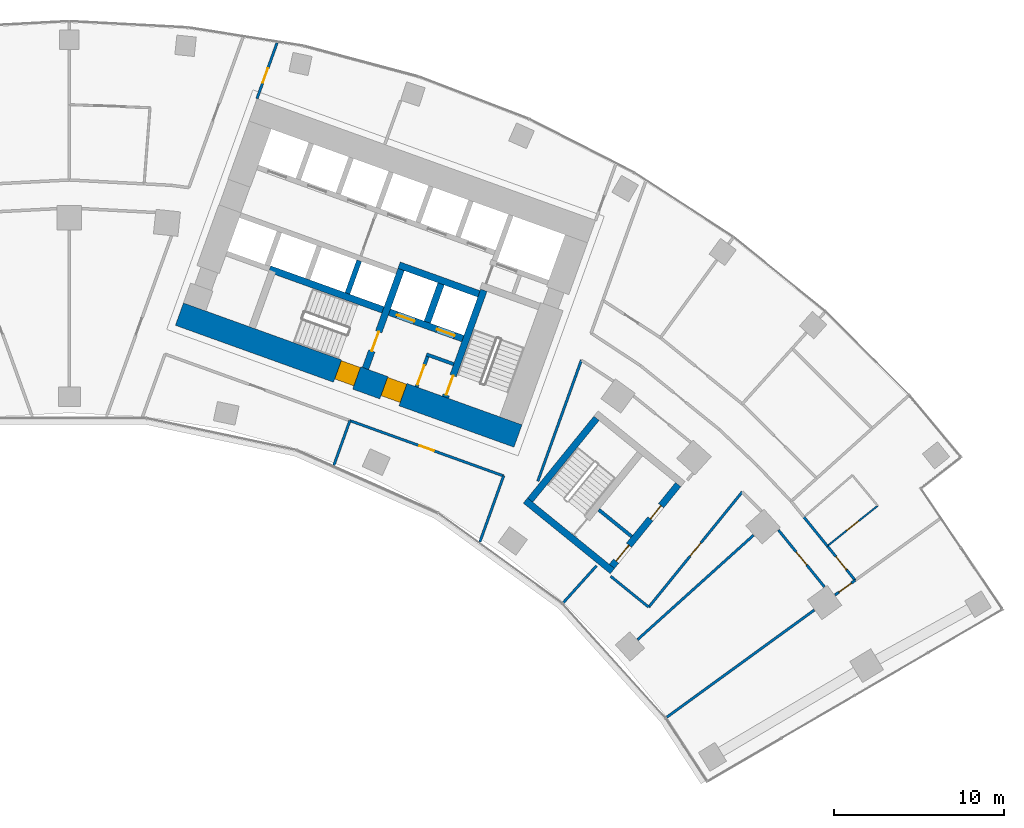
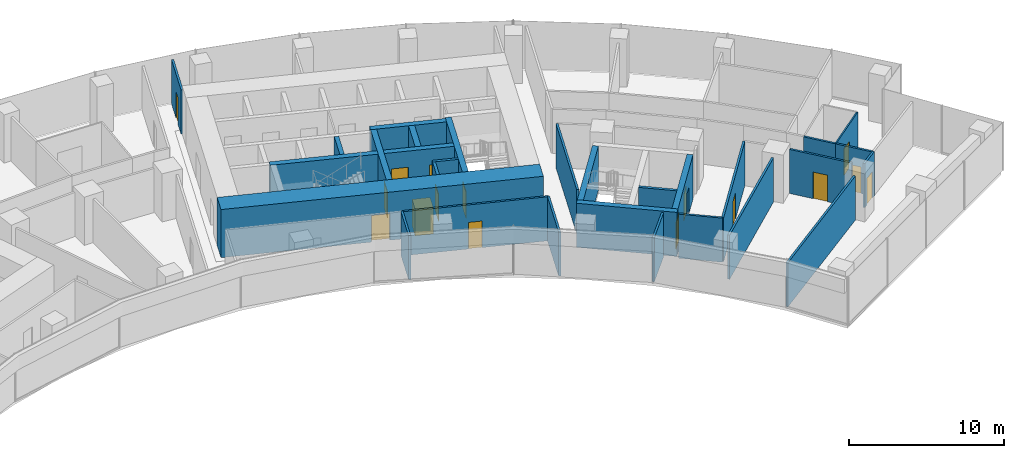
# One storey, part 16 of 20: 28 walls, 16 doors, 16 openings.
"""IFC4 building model written with IfcOpenShell, lengths in metres."""

import ifcopenshell
import ifcopenshell.guid

model = None  # the IFC model being written
_history = None  # IfcOwnerHistory: only IFC2X3 demands one
_inside = {}  # id of a spatial element -> (the spatial element, [elements in it])
_under = {}  # id of a project, library or spatial element -> (it, [spatial elements below it])
_declared = {}  # id of a project -> (the project, [libraries it declares])
_typed = {}  # id of a type object -> (the type object, [elements of that type])
_made_of = {}  # id of a material, layer set ... -> (it, [elements and type objects made of it])


def new_model(schema):
    """Start an empty IFC model of exactly this schema.

    Asked for "IFC4X3", IfcOpenShell would pick the latest addendum, in which some entities
    have other attributes; the version numbers below select the first issue.
    IFC2X3 requires an IfcOwnerHistory on every rooted entity: one is made here for all.
    """
    global model, _history
    if schema == "IFC4X3":
        model = ifcopenshell.file(schema_version=(4, 3, 0, 0))
    else:
        model = ifcopenshell.file(schema=schema)
    _inside.clear()
    _under.clear()
    _declared.clear()
    _typed.clear()
    _made_of.clear()
    _history = None
    if model.schema == "IFC2X3":
        org = make("IfcOrganization", Name="unknown")
        user = make(
            "IfcPersonAndOrganization",
            ThePerson=make("IfcPerson", FamilyName="unknown"),
            TheOrganization=org,
        )
        app = make(
            "IfcApplication",
            ApplicationDeveloper=org,
            Version="unknown",
            ApplicationFullName="unknown",
            ApplicationIdentifier="unknown",
        )
        _history = make(
            "IfcOwnerHistory",
            OwningUser=user,
            OwningApplication=app,
            ChangeAction="ADDED",
            CreationDate=0,
        )
    return model


def make(cls, **values):
    """One entity of the class cls with the attributes given. An attribute that is None is left unset."""
    return model.create_entity(
        cls, **{name: value for name, value in values.items() if value is not None}
    )


def rooted(cls, **values):
    """An entity with a GlobalId (a new one), such as an element, a storey or a relation."""
    return make(cls, GlobalId=ifcopenshell.guid.new(), OwnerHistory=_history, **values)


def si_unit(unit_type, name, prefix=None):
    """IfcSIUnit, for example si_unit("LENGTHUNIT", "METRE", prefix="MILLI")."""
    return make("IfcSIUnit", UnitType=unit_type, Prefix=prefix, Name=name)


def assignment(units):
    """IfcUnitAssignment: the units of a project."""
    return None if units is None else make("IfcUnitAssignment", Units=units)


def point(xyz):
    """IfcCartesianPoint."""
    return None if xyz is None else make("IfcCartesianPoint", Coordinates=xyz)


def direction(xyz):
    """IfcDirection."""
    return None if xyz is None else make("IfcDirection", DirectionRatios=xyz)


def frame(location, z_axis=None, x_axis=None):
    """IfcAxis2Placement3D, a coordinate frame: its origin and axes. An axis left out is left unset."""
    return make(
        "IfcAxis2Placement3D",
        Location=point(location),
        Axis=direction(z_axis),
        RefDirection=direction(x_axis),
    )


def frame_2d(location, x_axis=None):
    """IfcAxis2Placement2D, a coordinate frame in the plane: its origin and x axis."""
    return make(
        "IfcAxis2Placement2D", Location=point(location), RefDirection=direction(x_axis)
    )


def origin():
    """The frame at (0, 0, 0) with its axes left unset."""
    return frame((0.0, 0.0, 0.0))


def place(relative_to, where):
    """IfcLocalPlacement: puts the frame where relative to a parent placement (None: the world)."""
    return make(
        "IfcLocalPlacement", PlacementRelTo=relative_to, RelativePlacement=where
    )


def context(
    kind, dimensions, precision=None, world=None, true_north=None, identifier=None
):
    """IfcGeometricRepresentationContext, for example the 3D "Model" context."""
    return make(
        "IfcGeometricRepresentationContext",
        ContextIdentifier=identifier,
        ContextType=kind,
        CoordinateSpaceDimension=dimensions,
        Precision=precision,
        WorldCoordinateSystem=world,
        TrueNorth=true_north,
    )


def subcontext(parent, identifier, kind, view, scale=None):
    """IfcGeometricRepresentationSubContext, for example "Body" below "Model"."""
    return make(
        "IfcGeometricRepresentationSubContext",
        ContextIdentifier=identifier,
        ContextType=kind,
        ParentContext=parent,
        TargetScale=scale,
        TargetView=view,
    )


def project(units=None, contexts=None):
    """IfcProject with its units and contexts."""
    return rooted(
        "IfcProject",
        Name="project",
        RepresentationContexts=contexts,
        UnitsInContext=assignment(units),
    )


def spatial(cls, under=None, at=None, **own):
    """A site, building, storey or space (cls), placed at a placement, below another one or the project."""
    s = rooted(cls, ObjectPlacement=at, **own)
    if under is not None:
        _under.setdefault(under.id(), (under, []))[1].append(s)
    return s


def profile(cls, at=None, kind="AREA", **sizes):
    """A parametric profile (cls). Its sizes go by their IFC names, for example OverallWidth=200.0."""
    return make(cls, ProfileType=kind, Position=at, **sizes)


def rectangle(**sizes):
    """IfcRectangleProfileDef."""
    return profile("IfcRectangleProfileDef", **sizes)


def extrude(swept, where, along, depth):
    """IfcExtrudedAreaSolid: the profile swept, set in the frame where, extruded along a direction by depth."""
    return make(
        "IfcExtrudedAreaSolid",
        SweptArea=swept,
        Position=where,
        ExtrudedDirection=direction(along),
        Depth=depth,
    )


def shape(context_of_items, identifier, shape_type, items):
    """IfcShapeRepresentation: the items that make up one representation, for example the "Body"."""
    return make(
        "IfcShapeRepresentation",
        ContextOfItems=context_of_items,
        RepresentationIdentifier=identifier,
        RepresentationType=shape_type,
        Items=items,
    )


def material(Name=None, Category=None):
    """IfcMaterial."""
    return make("IfcMaterial", Name=Name, Category=Category)


def layer(
    of_material, thickness, ventilated=None, Name=None, Category=None, Priority=None
):
    """IfcMaterialLayer: one layer of a wall or slab, of a material (None: an air gap)."""
    return make(
        "IfcMaterialLayer",
        Material=of_material,
        LayerThickness=thickness,
        IsVentilated=ventilated,
        Name=Name,
        Category=Category,
        Priority=Priority,
    )


def layer_set(layers, Name=None):
    """IfcMaterialLayerSet."""
    return make("IfcMaterialLayerSet", MaterialLayers=layers, LayerSetName=Name)


def made_of(thing, what):
    """Note that an element or type object is made of a material, layer set ...; save() writes the relation."""
    if what is not None:
        _made_of.setdefault(what.id(), (what, []))[1].append(thing)
    return thing


def type_object(cls, material=None, **own):
    """A type object (cls), such as IfcWallType, which elements share."""
    return made_of(rooted(cls, **own), material)


def element(
    cls,
    number,
    at=None,
    inside=None,
    cuts=None,
    type_object=None,
    material=None,
    context=None,
    identifier="Body",
    shape_type=None,
    held_by="IfcProductDefinitionShape",
    body=None,
    shapes=None,
    **own,
):
    """One element of the class cls, such as IfcWall. Its Tag is "e" and its number.

    at: its placement. inside: the storey or other place that contains it. cuts: it is an
    opening in that element (IfcRelVoidsElement). A single representation is given by context,
    identifier, shape_type and body (its items); several are given by shapes. held_by: the class
    of the entity that holds the representations. save() writes the other relations.
    """
    e = rooted(cls, Tag="e%d" % number, ObjectPlacement=at, **own)
    if body is not None:
        shapes = [shape(context, identifier, shape_type, body)]
    if shapes is not None:
        e.Representation = make(held_by, Representations=shapes)
    if inside is not None:
        _inside.setdefault(inside.id(), (inside, []))[1].append(e)
    if cuts is not None:
        rooted(
            "IfcRelVoidsElement", RelatingBuildingElement=cuts, RelatedOpeningElement=e
        )
    if type_object is not None:
        _typed.setdefault(type_object.id(), (type_object, []))[1].append(e)
    return made_of(e, material)


def fill(opening, filler):
    """IfcRelFillsElement: the door or window that sits in an opening."""
    return rooted(
        "IfcRelFillsElement",
        RelatingOpeningElement=opening,
        RelatedBuildingElement=filler,
    )


def aggregate(whole, parts):
    """IfcRelAggregates: a whole, such as a stair, and the parts it consists of."""
    return rooted("IfcRelAggregates", RelatingObject=whole, RelatedObjects=parts)


def save(model, path):
    """Write the relations noted so far, then the file.

    IfcRelAggregates (storeys below a building ...), IfcRelContainedInSpatialStructure (elements
    in a storey), IfcRelDefinesByType, IfcRelAssociatesMaterial and IfcRelDeclares: one each for
    every whole, place, type object, material and project.
    """
    for whole, parts in _under.values():
        aggregate(whole, parts)
    for where, things in _inside.values():
        rooted(
            "IfcRelContainedInSpatialStructure",
            RelatedElements=things,
            RelatingStructure=where,
        )
    for kind, things in _typed.values():
        rooted("IfcRelDefinesByType", RelatedObjects=things, RelatingType=kind)
    for what, things in _made_of.values():
        rooted("IfcRelAssociatesMaterial", RelatedObjects=things, RelatingMaterial=what)
    for by, libraries in _declared.values():
        rooted("IfcRelDeclares", RelatingContext=by, RelatedDefinitions=libraries)
    model.write(path)


model = new_model("IFC4")

# Units and contexts
model_context = context("Model", 3, precision=1e-05, world=origin(), true_north=direction((0.0, 1.0)))
body_context = subcontext(model_context, "Body", "Model", "MODEL_VIEW")
ifc_project = project(units=[si_unit("LENGTHUNIT", "METRE"), si_unit("AREAUNIT", "SQUARE_METRE"), si_unit("VOLUMEUNIT", "CUBIC_METRE"), si_unit("PLANEANGLEUNIT", "RADIAN"), si_unit("MASSUNIT", "GRAM", prefix="KILO")], contexts=[model_context])

# Site, building, storey
site_placement = place(None, origin())
site = spatial("IfcSite", under=ifc_project, at=site_placement, CompositionType="ELEMENT")
building_placement = place(site_placement, origin())
building = spatial("IfcBuilding", under=site, at=building_placement, Name="Stone Belt Terrace Tower", CompositionType="ELEMENT")
storey_placement = place(building_placement, frame((0.0, 0.0, 102.199951171875)))
storey = spatial("IfcBuildingStorey", under=building, at=storey_placement, Name="L24", CompositionType="ELEMENT", Elevation=102.199951171875)

# Wall, openings, doors
ifc_material_1 = material(Name="Concrete B80", Category="concrete")
ifc_layer_1 = layer(ifc_material_1, 1.39990234375)
ifc_layer_set_1 = layer_set([ifc_layer_1], Name="Core wall 1400 B80")
wall_type_1 = type_object("IfcWallType", Name="Core wall 1400 B80", PredefinedType="SHEAR", material=ifc_layer_set_1)
wall_1_placement = place(storey_placement, frame((6.4833984375, 49.318115234375, 0.0), z_axis=(0.0, 0.0, 1.0), x_axis=(0.940923374003, -0.33861955681, 0.0)))
wall_1 = element("IfcWall", 1, at=wall_1_placement, inside=storey, type_object=wall_type_1, Name="Core B wall concave L24", PredefinedType="SHEAR", context=body_context, shape_type="SweptSolid", body=[
    extrude(rectangle(XDim=21.199951171875, YDim=1.39990234375, at=frame_2d((10.60009765625, 0.0))), origin(), (0.0, 0.0, 1.0), 3.800048828125),
])
opening_1_placement = place(wall_1_placement, frame((12.800048828125, 0.0, 0.0)))
opening_1 = element("IfcOpeningElement", 2, at=opening_1_placement, cuts=wall_1, Name="Opening L24-C17", PredefinedType="OPENING", context=body_context, shape_type="SweptSolid", body=[
    extrude(rectangle(XDim=1.199951171875, YDim=2.10009765625, at=frame_2d((0.60009765625, 1.050048828125))), frame((0.0, 0.7099609375, 0.0), z_axis=(0.0, -1.0, 0.0), x_axis=(1.0, 0.0, 0.0)), (0.0, 0.0, 1.0), 1.419921875),
])
opening_2_placement = place(wall_1_placement, frame((9.89990234375, 0.0, 0.0)))
opening_2 = element("IfcOpeningElement", 3, at=opening_2_placement, cuts=wall_1, Name="Opening L24-C19", PredefinedType="OPENING", context=body_context, shape_type="SweptSolid", body=[
    extrude(rectangle(XDim=1.199951171875, YDim=2.10009765625, at=frame_2d((0.60009765625, 1.050048828125))), frame((0.0, 0.7099609375, 0.0), z_axis=(0.0, -1.0, 0.0), x_axis=(1.0, 0.0, 0.0)), (0.0, 0.0, 1.0), 1.419921875),
])
ifc_material_2 = material(Name="Steel door leaf", Category="steel")
door_type_1 = type_object("IfcDoorType", Name="Fire-fighting lobby door 1200", OperationType="SINGLE_SWING_LEFT", PredefinedType="DOOR", material=ifc_material_2)
door_1_placement = place(opening_1_placement, origin())
door_1 = element("IfcDoor", 4, at=door_1_placement, inside=storey, type_object=door_type_1, Name="Fire-fighting lobby door core B", OperationType="SINGLE_SWING_RIGHT", OverallHeight=2.10009765625, OverallWidth=1.199951171875, PredefinedType="DOOR", context=body_context, shape_type="SweptSolid", body=[
    extrude(rectangle(XDim=1.199951171875, YDim=2.10009765625, at=frame_2d((0.60009765625, 1.050048828125))), frame((0.0, 0.655029296875, 0.0), z_axis=(0.0, -1.0, 0.0), x_axis=(1.0, 0.0, 0.0)), (0.0, 0.0, 1.0), 1.14990234375),
])
fill(opening_1, door_1)
door_type_2 = type_object("IfcDoorType", Name="Stair door 1200", OperationType="SINGLE_SWING_LEFT", PredefinedType="DOOR", material=ifc_material_2)
door_2_placement = place(opening_2_placement, origin())
door_2 = element("IfcDoor", 5, at=door_2_placement, inside=storey, type_object=door_type_2, Name="Stair 2 exit door core B", OperationType="SINGLE_SWING_LEFT", OverallHeight=2.10009765625, OverallWidth=1.199951171875, PredefinedType="DOOR", context=body_context, shape_type="SweptSolid", body=[
    extrude(rectangle(XDim=1.199951171875, YDim=2.10009765625, at=frame_2d((0.60009765625, 1.050048828125))), frame((0.0, 0.655029296875, 0.0), z_axis=(0.0, -1.0, 0.0), x_axis=(1.0, 0.0, 0.0)), (0.0, 0.0, 1.0), 1.14990234375),
])
fill(opening_2, door_2)

# Walls
ifc_layer_2 = layer(ifc_material_1, 0.39990234375)
ifc_layer_set_2 = layer_set([ifc_layer_2], Name="Fire-fighting lift shaft wall 400")
wall_type_2 = type_object("IfcWallType", Name="Fire-fighting lift shaft wall 400", PredefinedType="SHEAR", material=ifc_layer_set_2)
wall_2_placement = place(storey_placement, frame((24.130615234375, 50.512939453125, 0.0), z_axis=(0.0, 0.0, 1.0), x_axis=(-0.94091168377, 0.338652038744, 0.0)))
element("IfcWall", 6, at=wall_2_placement, inside=storey, type_object=wall_type_2, Name="Core B wall", PredefinedType="SHEAR", context=body_context, shape_type="SweptSolid", body=[
    extrude(rectangle(XDim=5.000244140625, YDim=0.39990234375, at=frame_2d((2.5, 0.0))), origin(), (0.0, 0.0, 1.0), 3.47998046875),
])
wall_3_placement = place(storey_placement, frame((21.0859375, 48.845458984375, 0.0), z_axis=(0.0, 0.0, 1.0), x_axis=(0.338629416206, 0.940919825745, 0.0)))
element("IfcWall", 7, at=wall_3_placement, inside=storey, type_object=wall_type_2, Name="Core B wall", PredefinedType="SHEAR", context=body_context, shape_type="SweptSolid", body=[
    extrude(rectangle(XDim=2.400146484375, YDim=0.39990234375, at=frame_2d((1.2001953125, 0.0))), origin(), (0.0, 0.0, 1.0), 3.47998046875),
])
ifc_layer_3 = layer(ifc_material_1, 0.300048828125)
ifc_layer_set_3 = layer_set([ifc_layer_3], Name="Lift shaft wall 300")
wall_type_3 = type_object("IfcWallType", Name="Lift shaft wall 300", PredefinedType="SHEAR", material=ifc_layer_set_3)
wall_4_placement = place(storey_placement, frame((16.38134765625, 50.53857421875, 0.0), z_axis=(0.0, 0.0, 1.0), x_axis=(0.338681515556, 0.940901073982, 0.0)))
element("IfcWall", 8, at=wall_4_placement, inside=storey, type_object=wall_type_3, Name="Core B wall", PredefinedType="SHEAR", context=body_context, shape_type="SweptSolid", body=[
    extrude(rectangle(XDim=2.050048828125, YDim=0.300048828125, at=frame_2d((1.02490234375, 0.0))), origin(), (0.0, 0.0, 1.0), 3.47998046875),
])

# Wall, opening, door
ifc_material_3 = material(Name="Gypsum board partition")
ifc_layer_4 = layer(ifc_material_3, 0.10009765625)
ifc_layer_set_4 = layer_set([ifc_layer_4], Name="PARTITION 100")
wall_type_4 = type_object("IfcWallType", Name="PARTITION 100", PredefinedType="PARTITIONING", material=ifc_layer_set_4)
wall_5_placement = place(storey_placement, frame((44.657958984375, 35.658935546875, 0.0), z_axis=(0.0, 0.0, 1.0), x_axis=(0.781420349755, 0.624004997567, 0.0)))
wall_5 = element("IfcWall", 9, at=wall_5_placement, inside=storey, type_object=wall_type_4, Name="L24/wall/i080", PredefinedType="PARTITIONING", context=body_context, shape_type="SweptSolid", body=[
    extrude(rectangle(XDim=3.79833984375, YDim=0.10009765625, at=frame_2d((1.899169921875, 0.0))), origin(), (0.0, 0.0, 1.0), 3.47998046875),
])
opening_3_placement = place(wall_5_placement, frame((1.448974609375, 0.0, 0.0)))
opening_3 = element("IfcOpeningElement", 10, at=opening_3_placement, cuts=wall_5, Name="Opening D-B3-25", PredefinedType="OPENING", context=body_context, shape_type="SweptSolid", body=[
    extrude(rectangle(XDim=0.89990234375, YDim=2.10009765625, at=frame_2d((0.449951171875, 1.050048828125))), frame((0.0, 0.06005859375, 0.0), z_axis=(0.0, -1.0, 0.0), x_axis=(1.0, 0.0, 0.0)), (0.0, 0.0, 1.0), 0.1201171875),
])
ifc_material_4 = material(Name="Timber door leaf", Category="wood")
door_type_3 = type_object("IfcDoorType", Name="OFFICE DOOR 900 X 2100", OperationType="NOTDEFINED", PredefinedType="DOOR", material=ifc_material_4)
door_3_placement = place(opening_3_placement, origin())
door_3 = element("IfcDoor", 11, at=door_3_placement, inside=storey, type_object=door_type_3, Name="L24/door/i25", OperationType="SINGLE_SWING_RIGHT", OverallHeight=2.10009765625, OverallWidth=0.89990234375, PredefinedType="DOOR", context=body_context, shape_type="SweptSolid", body=[
    extrude(rectangle(XDim=0.89990234375, YDim=2.10009765625, at=frame_2d((0.449951171875, 1.050048828125))), frame((0.0, 0.02490234375, 0.0), z_axis=(0.0, -1.0, 0.0), x_axis=(1.0, 0.0, 0.0)), (0.0, 0.0, 1.0), 0.050048828125),
])
fill(opening_3, door_3)

ifc_layer_5 = layer(ifc_material_3, 0.14990234375)
ifc_layer_set_5 = layer_set([ifc_layer_5], Name="PARTITION 150 EI 60")
wall_type_5 = type_object("IfcWallType", Name="PARTITION 150 EI 60", PredefinedType="PARTITIONING", material=ifc_layer_set_5)
wall_6_placement = place(storey_placement, frame((12.23486328125, 65.297119140625, 0.0), z_axis=(0.0, 0.0, 1.0), x_axis=(-0.338853532575, -0.94083913793, 0.0)))
wall_6 = element("IfcWall", 12, at=wall_6_placement, inside=storey, type_object=wall_type_5, Name="L24/wall/i015", PredefinedType="PARTITIONING", context=body_context, shape_type="SweptSolid", body=[
    extrude(rectangle(XDim=3.482177734375, YDim=0.14990234375, at=frame_2d((1.7412109375, 0.0))), origin(), (0.0, 0.0, 1.0), 3.47998046875),
])
opening_4_placement = place(wall_6_placement, frame((1.58837890625, 0.0, 0.0)))
opening_4 = element("IfcOpeningElement", 13, at=opening_4_placement, cuts=wall_6, Name="Opening D-B3-07", PredefinedType="OPENING", context=body_context, shape_type="SweptSolid", body=[
    extrude(rectangle(XDim=0.89990234375, YDim=2.10009765625, at=frame_2d((0.449951171875, 1.050048828125))), frame((0.0, 0.0849609375, 0.0), z_axis=(0.0, -1.0, 0.0), x_axis=(1.0, 0.0, 0.0)), (0.0, 0.0, 1.0), 0.169921875),
])
door_4_placement = place(opening_4_placement, origin())
door_4 = element("IfcDoor", 14, at=door_4_placement, inside=storey, type_object=door_type_3, Name="L24/door/i07", OperationType="SINGLE_SWING_RIGHT", OverallHeight=2.10009765625, OverallWidth=0.89990234375, PredefinedType="DOOR", context=body_context, shape_type="SweptSolid", body=[
    extrude(rectangle(XDim=0.89990234375, YDim=2.10009765625, at=frame_2d((0.449951171875, 1.050048828125))), frame((0.0, 0.02490234375, 0.0), z_axis=(0.0, -1.0, 0.0), x_axis=(1.0, 0.0, 0.0)), (0.0, 0.0, 1.0), 0.050048828125),
])
fill(opening_4, door_4)

# Walls
wall_7_placement = place(storey_placement, frame((24.18603515625, 35.902099609375, 0.0), z_axis=(0.0, 0.0, 1.0), x_axis=(0.338545933013, 0.940949866486, 0.0)))
element("IfcWall", 15, at=wall_7_placement, inside=storey, type_object=wall_type_5, Name="L24/wall/i018", PredefinedType="PARTITIONING", context=body_context, shape_type="SweptSolid", body=[
    extrude(rectangle(XDim=4.135009765625, YDim=0.14990234375, at=frame_2d((2.0673828125, 0.0))), origin(), (0.0, 0.0, 1.0), 3.47998046875),
])
wall_8_placement = place(storey_placement, frame((30.1669921875, 46.612060546875, 0.0), z_axis=(0.0, 0.0, 1.0), x_axis=(-0.338694393991, -0.940896438233, 0.0)))
element("IfcWall", 16, at=wall_8_placement, inside=storey, type_object=wall_type_5, Name="L24/wall/i020", PredefinedType="PARTITIONING", context=body_context, shape_type="SweptSolid", body=[
    extrude(rectangle(XDim=7.585205078125, YDim=0.14990234375, at=frame_2d((3.79248046875, 0.0))), origin(), (0.0, 0.0, 1.0), 3.47998046875),
])
wall_9_placement = place(storey_placement, frame((31.054931640625, 34.489990234375, 0.0), z_axis=(0.0, 0.0, 1.0), x_axis=(-0.669108362487, -0.743164853347, 0.0)))
element("IfcWall", 17, at=wall_9_placement, inside=storey, type_object=wall_type_5, Name="L24/wall/i021", PredefinedType="PARTITIONING", context=body_context, shape_type="SweptSolid", body=[
    extrude(rectangle(XDim=2.910888671875, YDim=0.14990234375, at=frame_2d((1.45556640625, 0.0))), origin(), (0.0, 0.0, 1.0), 3.47998046875),
])

# Wall, opening, door
wall_10_placement = place(storey_placement, frame((25.583984375, 39.787109375, 0.0), z_axis=(0.0, 0.0, 1.0), x_axis=(-0.940920049303, 0.338628795025, 0.0)))
wall_10 = element("IfcWall", 18, at=wall_10_placement, inside=storey, type_object=wall_type_5, Name="L24/wall/i025", PredefinedType="PARTITIONING", context=body_context, shape_type="SweptSolid", body=[
    extrude(rectangle(XDim=9.6298828125, YDim=0.14990234375, at=frame_2d((4.81494140625, 0.0))), origin(), (0.0, 0.0, 1.0), 3.47998046875),
])
opening_5_placement = place(wall_10_placement, frame((4.364990234375, 0.0, 0.0)))
opening_5 = element("IfcOpeningElement", 19, at=opening_5_placement, cuts=wall_10, Name="Opening D-B3-06", PredefinedType="OPENING", context=body_context, shape_type="SweptSolid", body=[
    extrude(rectangle(XDim=0.89990234375, YDim=2.10009765625, at=frame_2d((0.449951171875, 1.050048828125))), frame((0.0, 0.0849609375, 0.0), z_axis=(0.0, -1.0, 0.0), x_axis=(1.0, 0.0, 0.0)), (0.0, 0.0, 1.0), 0.169921875),
])
door_5_placement = place(opening_5_placement, origin())
door_5 = element("IfcDoor", 20, at=door_5_placement, inside=storey, type_object=door_type_3, Name="L24/door/i06", OperationType="SINGLE_SWING_RIGHT", OverallHeight=2.10009765625, OverallWidth=0.89990234375, PredefinedType="DOOR", context=body_context, shape_type="SweptSolid", body=[
    extrude(rectangle(XDim=0.89990234375, YDim=2.10009765625, at=frame_2d((0.449951171875, 1.050048828125))), frame((0.0, 0.02490234375, 0.0), z_axis=(0.0, -1.0, 0.0), x_axis=(1.0, 0.0, 0.0)), (0.0, 0.0, 1.0), 0.050048828125),
])
fill(opening_5, door_5)

# Wall
wall_11_placement = place(storey_placement, frame((16.529052734375, 43.0458984375, 0.0), z_axis=(0.0, 0.0, 1.0), x_axis=(-0.338428517888, -0.940992103198, 0.0)))
element("IfcWall", 21, at=wall_11_placement, inside=storey, type_object=wall_type_5, Name="L24/wall/i026", PredefinedType="PARTITIONING", context=body_context, shape_type="SweptSolid", body=[
    extrude(rectangle(XDim=2.793212890625, YDim=0.14990234375, at=frame_2d((1.396484375, 0.0))), origin(), (0.0, 0.0, 1.0), 3.47998046875),
])

# Wall, opening, door
wall_12_placement = place(storey_placement, frame((46.301025390625, 33.638916015625, 0.0), z_axis=(0.0, 0.0, 1.0), x_axis=(-0.809407972322, -0.587246740597, 0.0)))
wall_12 = element("IfcWall", 22, at=wall_12_placement, inside=storey, type_object=wall_type_5, Name="L24/wall/i050", PredefinedType="PARTITIONING", context=body_context, shape_type="SweptSolid", body=[
    extrude(rectangle(XDim=1.475830078125, YDim=0.14990234375, at=frame_2d((0.73779296875, 0.0))), origin(), (0.0, 0.0, 1.0), 3.47998046875),
])
opening_6_placement = place(wall_12_placement, frame((0.287841796875, 0.0, 0.0)))
opening_6 = element("IfcOpeningElement", 23, at=opening_6_placement, cuts=wall_12, Name="Opening D-B3-16", PredefinedType="OPENING", context=body_context, shape_type="SweptSolid", body=[
    extrude(rectangle(XDim=0.89990234375, YDim=2.10009765625, at=frame_2d((0.449951171875, 1.050048828125))), frame((0.0, 0.0849609375, 0.0), z_axis=(0.0, -1.0, 0.0), x_axis=(1.0, 0.0, 0.0)), (0.0, 0.0, 1.0), 0.169921875),
])
door_6_placement = place(opening_6_placement, origin())
door_6 = element("IfcDoor", 24, at=door_6_placement, inside=storey, type_object=door_type_3, Name="L24/door/i16", OperationType="SINGLE_SWING_RIGHT", OverallHeight=2.10009765625, OverallWidth=0.89990234375, PredefinedType="DOOR", context=body_context, shape_type="SweptSolid", body=[
    extrude(rectangle(XDim=0.89990234375, YDim=2.10009765625, at=frame_2d((0.449951171875, 1.050048828125))), frame((0.0, 0.02490234375, 0.0), z_axis=(0.0, -1.0, 0.0), x_axis=(1.0, 0.0, 0.0)), (0.0, 0.0, 1.0), 0.050048828125),
])
fill(opening_6, door_6)

# Wall
wall_13_placement = place(storey_placement, frame((35.192138671875, 25.568115234375, 0.0), z_axis=(0.0, 0.0, 1.0), x_axis=(0.809024841759, 0.587774451143, 0.0)))
element("IfcWall", 25, at=wall_13_placement, inside=storey, type_object=wall_type_5, Name="L24/wall/i051", PredefinedType="PARTITIONING", context=body_context, shape_type="SweptSolid", body=[
    extrude(rectangle(XDim=10.745361328125, YDim=0.14990234375, at=frame_2d((5.37255859375, 0.0))), origin(), (0.0, 0.0, 1.0), 3.47998046875),
])

# Wall, opening, door
wall_14_placement = place(storey_placement, frame((44.485107421875, 33.253662109375, 0.0), z_axis=(0.0, 0.0, 1.0), x_axis=(-0.629214542808, 0.777231663739, 0.0)))
wall_14 = element("IfcWall", 26, at=wall_14_placement, inside=storey, type_object=wall_type_5, Name="L24/wall/i059", PredefinedType="PARTITIONING", context=body_context, shape_type="SweptSolid", body=[
    extrude(rectangle(XDim=4.304931640625, YDim=0.14990234375, at=frame_2d((2.15234375, 0.0))), origin(), (0.0, 0.0, 1.0), 3.47998046875),
])
opening_7_placement = place(wall_14_placement, frame((1.652587890625, 0.0, 0.0)))
opening_7 = element("IfcOpeningElement", 27, at=opening_7_placement, cuts=wall_14, Name="Opening D-B3-19", PredefinedType="OPENING", context=body_context, shape_type="SweptSolid", body=[
    extrude(rectangle(XDim=1.0, YDim=2.10009765625, at=frame_2d((0.5, 1.050048828125))), frame((0.0, 0.0849609375, 0.0), z_axis=(0.0, -1.0, 0.0), x_axis=(1.0, 0.0, 0.0)), (0.0, 0.0, 1.0), 0.169921875),
])
ifc_material_5 = material(Name="Timber fire door leaf", Category="wood")
door_type_4 = type_object("IfcDoorType", Name="TENANCY ENTRANCE DOOR 1000 X 2100", OperationType="NOTDEFINED", PredefinedType="DOOR", material=ifc_material_5)
door_7_placement = place(opening_7_placement, origin())
door_7 = element("IfcDoor", 28, at=door_7_placement, inside=storey, type_object=door_type_4, Name="L24/door/i19", OperationType="SINGLE_SWING_RIGHT", OverallHeight=2.10009765625, OverallWidth=1.0, PredefinedType="DOOR", context=body_context, shape_type="SweptSolid", body=[
    extrude(rectangle(XDim=1.0, YDim=2.10009765625, at=frame_2d((0.5, 1.050048828125))), frame((0.0, 0.02490234375, 0.0), z_axis=(0.0, -1.0, 0.0), x_axis=(1.0, 0.0, 0.0)), (0.0, 0.0, 1.0), 0.050048828125),
])
fill(opening_7, door_7)

wall_15_placement = place(storey_placement, frame((44.654052734375, 35.6630859375, 0.0), z_axis=(0.0, 0.0, 1.0), x_axis=(0.629397440797, -0.777083561477, 0.0)))
wall_15 = element("IfcWall", 29, at=wall_15_placement, inside=storey, type_object=wall_type_5, Name="L24/wall/i062", PredefinedType="PARTITIONING", context=body_context, shape_type="SweptSolid", body=[
    extrude(rectangle(XDim=2.608642578125, YDim=0.14990234375, at=frame_2d((1.30419921875, 0.0))), origin(), (0.0, 0.0, 1.0), 3.47998046875),
])
opening_8_placement = place(wall_15_placement, frame((0.80419921875, 0.0, 0.0)))
opening_8 = element("IfcOpeningElement", 30, at=opening_8_placement, cuts=wall_15, Name="Opening D-B3-24", PredefinedType="OPENING", context=body_context, shape_type="SweptSolid", body=[
    extrude(rectangle(XDim=1.0, YDim=2.10009765625, at=frame_2d((0.5, 1.050048828125))), frame((0.0, 0.0849609375, 0.0), z_axis=(0.0, -1.0, 0.0), x_axis=(1.0, 0.0, 0.0)), (0.0, 0.0, 1.0), 0.169921875),
])
door_8_placement = place(opening_8_placement, origin())
door_8 = element("IfcDoor", 31, at=door_8_placement, inside=storey, type_object=door_type_4, Name="L24/door/i24", OperationType="SINGLE_SWING_RIGHT", OverallHeight=2.10009765625, OverallWidth=1.0, PredefinedType="DOOR", context=body_context, shape_type="SweptSolid", body=[
    extrude(rectangle(XDim=1.0, YDim=2.10009765625, at=frame_2d((0.5, 1.050048828125))), frame((0.0, 0.02490234375, 0.0), z_axis=(0.0, -1.0, 0.0), x_axis=(1.0, 0.0, 0.0)), (0.0, 0.0, 1.0), 0.050048828125),
])
fill(opening_8, door_8)

# Wall
wall_16_placement = place(storey_placement, frame((43.27490234375, 37.365966796875, 0.0), z_axis=(0.0, 0.0, 1.0), x_axis=(0.629239678962, -0.777211313878, 0.0)))
element("IfcWall", 32, at=wall_16_placement, inside=storey, type_object=wall_type_5, Name="L24/wall/i063", PredefinedType="PARTITIONING", context=body_context, shape_type="SweptSolid", body=[
    extrude(rectangle(XDim=2.20263671875, YDim=0.14990234375, at=frame_2d((1.101318359375, 0.0))), origin(), (0.0, 0.0, 1.0), 3.47998046875),
])

# Wall, opening, door
wall_17_placement = place(storey_placement, frame((39.64599609375, 38.84912109375, 0.0), z_axis=(0.0, 0.0, 1.0), x_axis=(-0.630141823003, -0.776480059566, 0.0)))
wall_17 = element("IfcWall", 33, at=wall_17_placement, inside=storey, type_object=wall_type_5, Name="L24/wall/i065", PredefinedType="PARTITIONING", context=body_context, shape_type="SweptSolid", body=[
    extrude(rectangle(XDim=8.748779296875, YDim=0.14990234375, at=frame_2d((4.37451171875, 0.0))), origin(), (0.0, 0.0, 1.0), 3.47998046875),
])
opening_9_placement = place(wall_17_placement, frame((3.874267578125, 0.0, 0.0)))
opening_9 = element("IfcOpeningElement", 34, at=opening_9_placement, cuts=wall_17, Name="Opening D-B3-18", PredefinedType="OPENING", context=body_context, shape_type="SweptSolid", body=[
    extrude(rectangle(XDim=1.0, YDim=2.10009765625, at=frame_2d((0.5, 1.050048828125))), frame((0.0, 0.0849609375, 0.0), z_axis=(0.0, -1.0, 0.0), x_axis=(1.0, 0.0, 0.0)), (0.0, 0.0, 1.0), 0.169921875),
])
door_9_placement = place(opening_9_placement, origin())
door_9 = element("IfcDoor", 35, at=door_9_placement, inside=storey, type_object=door_type_4, Name="L24/door/i18", OperationType="SINGLE_SWING_RIGHT", OverallHeight=2.10009765625, OverallWidth=1.0, PredefinedType="DOOR", context=body_context, shape_type="SweptSolid", body=[
    extrude(rectangle(XDim=1.0, YDim=2.10009765625, at=frame_2d((0.5, 1.050048828125))), frame((0.0, 0.02490234375, 0.0), z_axis=(0.0, -1.0, 0.0), x_axis=(1.0, 0.0, 0.0)), (0.0, 0.0, 1.0), 0.050048828125),
])
fill(opening_9, door_9)

# Walls
wall_18_placement = place(storey_placement, frame((34.133056640625, 32.055908203125, 0.0), z_axis=(0.0, 0.0, 1.0), x_axis=(-0.776369956068, 0.630277471686, 0.0)))
element("IfcWall", 36, at=wall_18_placement, inside=storey, type_object=wall_type_5, Name="L24/wall/i066", PredefinedType="PARTITIONING", context=body_context, shape_type="SweptSolid", body=[
    extrude(rectangle(XDim=2.8876953125, YDim=0.14990234375, at=frame_2d((1.44384765625, 0.0))), origin(), (0.0, 0.0, 1.0), 3.47998046875),
])
wall_19_placement = place(storey_placement, frame((40.311767578125, 36.297119140625, 0.0), z_axis=(0.0, 0.0, 1.0), x_axis=(-0.74312513137, -0.669152478233, 0.0)))
element("IfcWall", 37, at=wall_19_placement, inside=storey, type_object=wall_type_5, Name="L24/wall/i067", PredefinedType="PARTITIONING", context=body_context, shape_type="SweptSolid", body=[
    extrude(rectangle(XDim=9.195068359375, YDim=0.14990234375, at=frame_2d((4.59765625, 0.0))), origin(), (0.0, 0.0, 1.0), 3.47998046875),
])
ifc_material_6 = material(Name="Concrete masonry block", Category="masonry")
ifc_layer_6 = layer(ifc_material_6, 0.199951171875)
ifc_layer_set_6 = layer_set([ifc_layer_6], Name="Rated lobby wall 200")
wall_type_6 = type_object("IfcWallType", Name="Rated lobby wall 200", PredefinedType="PARTITIONING", material=ifc_layer_set_6)
wall_20_placement = place(storey_placement, frame((22.640625, 46.373046875, 0.0), z_axis=(0.0, 0.0, 1.0), x_axis=(-0.940966110313, 0.338500781747, 0.0)))
element("IfcWall", 38, at=wall_20_placement, inside=storey, type_object=wall_type_6, Name="Core B wall", PredefinedType="PARTITIONING", context=body_context, shape_type="SweptSolid", body=[
    extrude(rectangle(XDim=1.699951171875, YDim=0.199951171875, at=frame_2d((0.85009765625, 0.0))), origin(), (0.0, 0.0, 1.0), 3.47998046875),
])

# Wall, opening, door
wall_21_placement = place(storey_placement, frame((20.4580078125, 45.032958984375, 0.0), z_axis=(0.0, 0.0, 1.0), x_axis=(0.338573865316, 0.940939816208, 0.0)))
wall_21 = element("IfcWall", 39, at=wall_21_placement, inside=storey, type_object=wall_type_6, Name="Core B wall", PredefinedType="PARTITIONING", context=body_context, shape_type="SweptSolid", body=[
    extrude(rectangle(XDim=1.900146484375, YDim=0.199951171875, at=frame_2d((0.9501953125, 0.0))), origin(), (0.0, 0.0, 1.0), 3.47998046875),
])
opening_10_placement = place(wall_21_placement, frame((0.14990234375, 0.0, 0.0)))
opening_10 = element("IfcOpeningElement", 40, at=opening_10_placement, cuts=wall_21, Name="Opening L24-C16", PredefinedType="OPENING", context=body_context, shape_type="SweptSolid", body=[
    extrude(rectangle(XDim=1.199951171875, YDim=2.10009765625, at=frame_2d((0.60009765625, 1.050048828125))), frame((0.0, 0.10986328125, 0.0), z_axis=(0.0, -1.0, 0.0), x_axis=(1.0, 0.0, 0.0)), (0.0, 0.0, 1.0), 0.219970703125),
])
door_10_placement = place(opening_10_placement, origin())
door_10 = element("IfcDoor", 41, at=door_10_placement, inside=storey, type_object=door_type_2, Name="Stair airlock door core B", OperationType="SINGLE_SWING_RIGHT", OverallHeight=2.10009765625, OverallWidth=1.199951171875, PredefinedType="DOOR", context=body_context, shape_type="SweptSolid", body=[
    extrude(rectangle(XDim=1.199951171875, YDim=2.10009765625, at=frame_2d((0.60009765625, 1.050048828125))), frame((0.0, 0.02490234375, 0.0), z_axis=(0.0, -1.0, 0.0), x_axis=(1.0, 0.0, 0.0)), (0.0, 0.0, 1.0), 0.050048828125),
])
fill(opening_10, door_10)

# Wall
wall_22_placement = place(storey_placement, frame((31.190673828125, 37.79296875, 0.0), z_axis=(0.0, 0.0, 1.0), x_axis=(0.776370830301, -0.630276394813, 0.0)))
element("IfcWall", 42, at=wall_22_placement, inside=storey, type_object=wall_type_6, Name="Exit stair ST3B wall", PredefinedType="PARTITIONING", context=body_context, shape_type="SweptSolid", body=[
    extrude(rectangle(XDim=2.5, YDim=0.199951171875, at=frame_2d((1.25, 0.0))), origin(), (0.0, 0.0, 1.0), 3.47998046875),
])

# Wall, opening, door
ifc_layer_7 = layer(ifc_material_1, 0.39990234375)
ifc_layer_set_7 = layer_set([ifc_layer_7], Name="Stair enclosure wall 400")
wall_type_7 = type_object("IfcWallType", Name="Stair enclosure wall 400", PredefinedType="SHEAR", material=ifc_layer_set_7)
wall_23_placement = place(storey_placement, frame((22.151611328125, 44.42333984375, 0.0), z_axis=(0.0, 0.0, 1.0), x_axis=(0.338625272931, 0.940921316866, 0.0)))
wall_23 = element("IfcWall", 43, at=wall_23_placement, inside=storey, type_object=wall_type_7, Name="Core B wall", PredefinedType="SHEAR", context=body_context, shape_type="SweptSolid", body=[
    extrude(rectangle(XDim=6.699951171875, YDim=0.39990234375, at=frame_2d((3.35009765625, 0.0))), origin(), (0.0, 0.0, 1.0), 3.47998046875),
])
opening_11_placement = place(wall_23_placement, frame((0.14990234375, 0.0, 0.0)))
opening_11 = element("IfcOpeningElement", 44, at=opening_11_placement, cuts=wall_23, Name="Opening L24-C15", PredefinedType="OPENING", context=body_context, shape_type="SweptSolid", body=[
    extrude(rectangle(XDim=1.199951171875, YDim=2.10009765625, at=frame_2d((0.60009765625, 1.050048828125))), frame((0.0, 0.2099609375, 0.0), z_axis=(0.0, -1.0, 0.0), x_axis=(1.0, 0.0, 0.0)), (0.0, 0.0, 1.0), 0.419921875),
])
door_11_placement = place(opening_11_placement, origin())
door_11 = element("IfcDoor", 45, at=door_11_placement, inside=storey, type_object=door_type_2, Name="Stair 1 door core B", OperationType="SINGLE_SWING_RIGHT", OverallHeight=2.10009765625, OverallWidth=1.199951171875, PredefinedType="DOOR", context=body_context, shape_type="SweptSolid", body=[
    extrude(rectangle(XDim=1.199951171875, YDim=2.10009765625, at=frame_2d((0.60009765625, 1.050048828125))), frame((0.0, 0.02490234375, 0.0), z_axis=(0.0, -1.0, 0.0), x_axis=(1.0, 0.0, 0.0)), (0.0, 0.0, 1.0), 0.050048828125),
])
fill(opening_11, door_11)

# Wall, openings, doors
wall_24_placement = place(storey_placement, frame((23.182373046875, 47.87841796875, 0.0), z_axis=(0.0, 0.0, 1.0), x_axis=(-0.940921101762, 0.338625870628, 0.0)))
wall_24 = element("IfcWall", 46, at=wall_24_placement, inside=storey, type_object=wall_type_7, Name="Core B wall", PredefinedType="SHEAR", context=body_context, shape_type="SweptSolid", body=[
    extrude(rectangle(XDim=12.10009765625, YDim=0.39990234375, at=frame_2d((6.050048828125, 0.0))), origin(), (0.0, 0.0, 1.0), 3.47998046875),
])
opening_12_placement = place(wall_24_placement, frame((0.52001953125, 0.0, 0.0)))
opening_12 = element("IfcOpeningElement", 47, at=opening_12_placement, cuts=wall_24, Name="Opening L24-LD16", PredefinedType="OPENING", context=body_context, shape_type="SweptSolid", body=[
    extrude(rectangle(XDim=1.10009765625, YDim=2.199951171875, at=frame_2d((0.550048828125, 1.10009765625))), frame((0.0, 0.2099609375, 0.0), z_axis=(0.0, -1.0, 0.0), x_axis=(1.0, 0.0, 0.0)), (0.0, 0.0, 1.0), 0.419921875),
])
opening_13_placement = place(wall_24_placement, frame((3.02001953125, 0.0, 0.0)))
opening_13 = element("IfcOpeningElement", 48, at=opening_13_placement, cuts=wall_24, Name="Opening L24-LD17", PredefinedType="OPENING", context=body_context, shape_type="SweptSolid", body=[
    extrude(rectangle(XDim=1.10009765625, YDim=2.199951171875, at=frame_2d((0.550048828125, 1.10009765625))), frame((0.0, 0.2099609375, 0.0), z_axis=(0.0, -1.0, 0.0), x_axis=(1.0, 0.0, 0.0)), (0.0, 0.0, 1.0), 0.419921875),
])
ifc_material_7 = material(Name="Stainless steel door leaf", Category="steel")
door_type_5 = type_object("IfcDoorType", Name="Landing door 1100", OperationType="SLIDING_TO_LEFT", PredefinedType="DOOR", material=ifc_material_7)
door_12_placement = place(opening_12_placement, origin())
door_12 = element("IfcDoor", 49, at=door_12_placement, inside=storey, type_object=door_type_5, Name="Landing door FF1 core B", OperationType="SLIDING_TO_LEFT", OverallHeight=2.199951171875, OverallWidth=1.10009765625, PredefinedType="DOOR", context=body_context, shape_type="SweptSolid", body=[
    extrude(rectangle(XDim=1.10009765625, YDim=2.199951171875, at=frame_2d((0.550048828125, 1.10009765625))), frame((0.0, 0.02490234375, 0.0), z_axis=(0.0, -1.0, 0.0), x_axis=(1.0, 0.0, 0.0)), (0.0, 0.0, 1.0), 0.050048828125),
])
fill(opening_12, door_12)
door_13_placement = place(opening_13_placement, origin())
door_13 = element("IfcDoor", 50, at=door_13_placement, inside=storey, type_object=door_type_5, Name="Landing door FF2 core B", OperationType="SLIDING_TO_LEFT", OverallHeight=2.199951171875, OverallWidth=1.10009765625, PredefinedType="DOOR", context=body_context, shape_type="SweptSolid", body=[
    extrude(rectangle(XDim=1.10009765625, YDim=2.199951171875, at=frame_2d((0.550048828125, 1.10009765625))), frame((0.0, 0.02490234375, 0.0), z_axis=(0.0, -1.0, 0.0), x_axis=(1.0, 0.0, 0.0)), (0.0, 0.0, 1.0), 0.050048828125),
])
fill(opening_13, door_13)

# Wall, opening, door
wall_25_placement = place(storey_placement, frame((17.447021484375, 46.116455078125, 0.0), z_axis=(0.0, 0.0, 1.0), x_axis=(0.33860791464, 0.940927563707, 0.0)))
wall_25 = element("IfcWall", 51, at=wall_25_placement, inside=storey, type_object=wall_type_7, Name="Core B wall", PredefinedType="SHEAR", context=body_context, shape_type="SweptSolid", body=[
    extrude(rectangle(XDim=6.199951171875, YDim=0.39990234375, at=frame_2d((3.10009765625, 0.0))), origin(), (0.0, 0.0, 1.0), 3.47998046875),
])
opening_14_placement = place(wall_25_placement, frame((1.10009765625, 0.0, 0.0)))
opening_14 = element("IfcOpeningElement", 52, at=opening_14_placement, cuts=wall_25, Name="Opening L24-C18", PredefinedType="OPENING", context=body_context, shape_type="SweptSolid", body=[
    extrude(rectangle(XDim=1.199951171875, YDim=2.10009765625, at=frame_2d((0.60009765625, 1.050048828125))), frame((0.0, 0.2099609375, 0.0), z_axis=(0.0, -1.0, 0.0), x_axis=(1.0, 0.0, 0.0)), (0.0, 0.0, 1.0), 0.419921875),
])
door_14_placement = place(opening_14_placement, origin())
door_14 = element("IfcDoor", 53, at=door_14_placement, inside=storey, type_object=door_type_2, Name="Stair 2 door core B", OperationType="SINGLE_SWING_RIGHT", OverallHeight=2.10009765625, OverallWidth=1.199951171875, PredefinedType="DOOR", context=body_context, shape_type="SweptSolid", body=[
    extrude(rectangle(XDim=1.199951171875, YDim=2.10009765625, at=frame_2d((0.60009765625, 1.050048828125))), frame((0.0, 0.02490234375, 0.0), z_axis=(0.0, -1.0, 0.0), x_axis=(1.0, 0.0, 0.0)), (0.0, 0.0, 1.0), 0.050048828125),
])
fill(opening_14, door_14)

# Walls
wall_26_placement = place(storey_placement, frame((26.868408203125, 38.3388671875, 0.0), z_axis=(0.0, 0.0, 1.0), x_axis=(0.776428452498, -0.630205409491, 0.0)))
element("IfcWall", 54, at=wall_26_placement, inside=storey, type_object=wall_type_7, Name="Exit stair ST3B wall", PredefinedType="SHEAR", context=body_context, shape_type="SweptSolid", body=[
    extrude(rectangle(XDim=6.60009765625, YDim=0.39990234375, at=frame_2d((3.300048828125, 0.0))), origin(), (0.0, 0.0, 1.0), 3.47998046875),
])
wall_27_placement = place(storey_placement, frame((27.149658203125, 38.3681640625, 0.0), z_axis=(0.0, 0.0, 1.0), x_axis=(0.630211551729, 0.776423466973, 0.0)))
element("IfcWall", 55, at=wall_27_placement, inside=storey, type_object=wall_type_7, Name="Exit stair ST3B wall", PredefinedType="SHEAR", context=body_context, shape_type="SweptSolid", body=[
    extrude(rectangle(XDim=6.199951171875, YDim=0.39990234375, at=frame_2d((3.10009765625, 0.0))), origin(), (0.0, 0.0, 1.0), 3.47998046875),
])

# Wall, openings, doors
wall_28_placement = place(storey_placement, frame((31.963623046875, 34.460693359375, 0.0), z_axis=(0.0, 0.0, 1.0), x_axis=(0.630192283849, 0.776439106033, 0.0)))
wall_28 = element("IfcWall", 56, at=wall_28_placement, inside=storey, type_object=wall_type_7, Name="Exit stair ST3B wall", PredefinedType="SHEAR", context=body_context, shape_type="SweptSolid", body=[
    extrude(rectangle(XDim=6.199951171875, YDim=0.39990234375, at=frame_2d((3.10009765625, 0.0))), origin(), (0.0, 0.0, 1.0), 3.47998046875),
])
opening_15_placement = place(wall_28_placement, frame((0.39990234375, 0.0, 0.0)))
opening_15 = element("IfcOpeningElement", 57, at=opening_15_placement, cuts=wall_28, Name="Opening L24-C25", PredefinedType="OPENING", context=body_context, shape_type="SweptSolid", body=[
    extrude(rectangle(XDim=1.199951171875, YDim=2.10009765625, at=frame_2d((0.60009765625, 1.050048828125))), frame((0.0, 0.2099609375, 0.0), z_axis=(0.0, -1.0, 0.0), x_axis=(1.0, 0.0, 0.0)), (0.0, 0.0, 1.0), 0.419921875),
])
opening_16_placement = place(wall_28_placement, frame((3.60009765625, 0.0, 0.0)))
opening_16 = element("IfcOpeningElement", 58, at=opening_16_placement, cuts=wall_28, Name="Opening L24-C26", PredefinedType="OPENING", context=body_context, shape_type="SweptSolid", body=[
    extrude(rectangle(XDim=1.0, YDim=2.10009765625, at=frame_2d((0.5, 1.050048828125))), frame((0.0, 0.2099609375, 0.0), z_axis=(0.0, -1.0, 0.0), x_axis=(1.0, 0.0, 0.0)), (0.0, 0.0, 1.0), 0.419921875),
])
door_type_6 = type_object("IfcDoorType", Name="Core room door 1000", OperationType="SINGLE_SWING_LEFT", PredefinedType="DOOR", material=ifc_material_4)
door_15_placement = place(opening_16_placement, origin())
door_15 = element("IfcDoor", 59, at=door_15_placement, inside=storey, type_object=door_type_6, Name="Door to stair pressurisation plant room ST3B", OperationType="SINGLE_SWING_LEFT", OverallHeight=2.10009765625, OverallWidth=1.0, PredefinedType="DOOR", context=body_context, shape_type="SweptSolid", body=[
    extrude(rectangle(XDim=1.0, YDim=2.10009765625, at=frame_2d((0.5, 1.050048828125))), frame((0.0, 0.02490234375, 0.0), z_axis=(0.0, -1.0, 0.0), x_axis=(1.0, 0.0, 0.0)), (0.0, 0.0, 1.0), 0.050048828125),
])
fill(opening_16, door_15)
door_type_7 = type_object("IfcDoorType", Name="Stair airlock door 1200", OperationType="SINGLE_SWING_LEFT", PredefinedType="DOOR", material=ifc_material_2)
door_16_placement = place(opening_15_placement, origin())
door_16 = element("IfcDoor", 60, at=door_16_placement, inside=storey, type_object=door_type_7, Name="Stair airlock door ST3B", OperationType="SINGLE_SWING_LEFT", OverallHeight=2.10009765625, OverallWidth=1.199951171875, PredefinedType="DOOR", context=body_context, shape_type="SweptSolid", body=[
    extrude(rectangle(XDim=1.199951171875, YDim=2.10009765625, at=frame_2d((0.60009765625, 1.050048828125))), frame((0.0, 0.02490234375, 0.0), z_axis=(0.0, -1.0, 0.0), x_axis=(1.0, 0.0, 0.0)), (0.0, 0.0, 1.0), 0.050048828125),
])
fill(opening_15, door_16)

save(model, "model.ifc")
